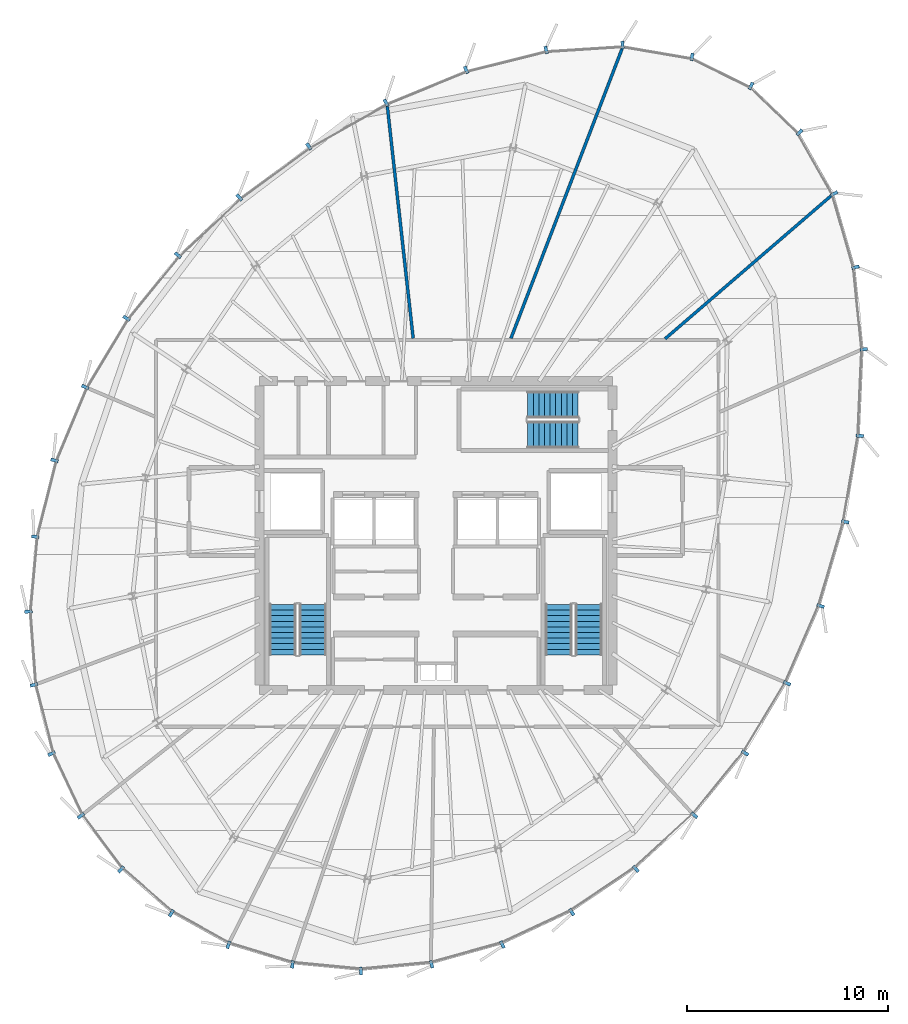
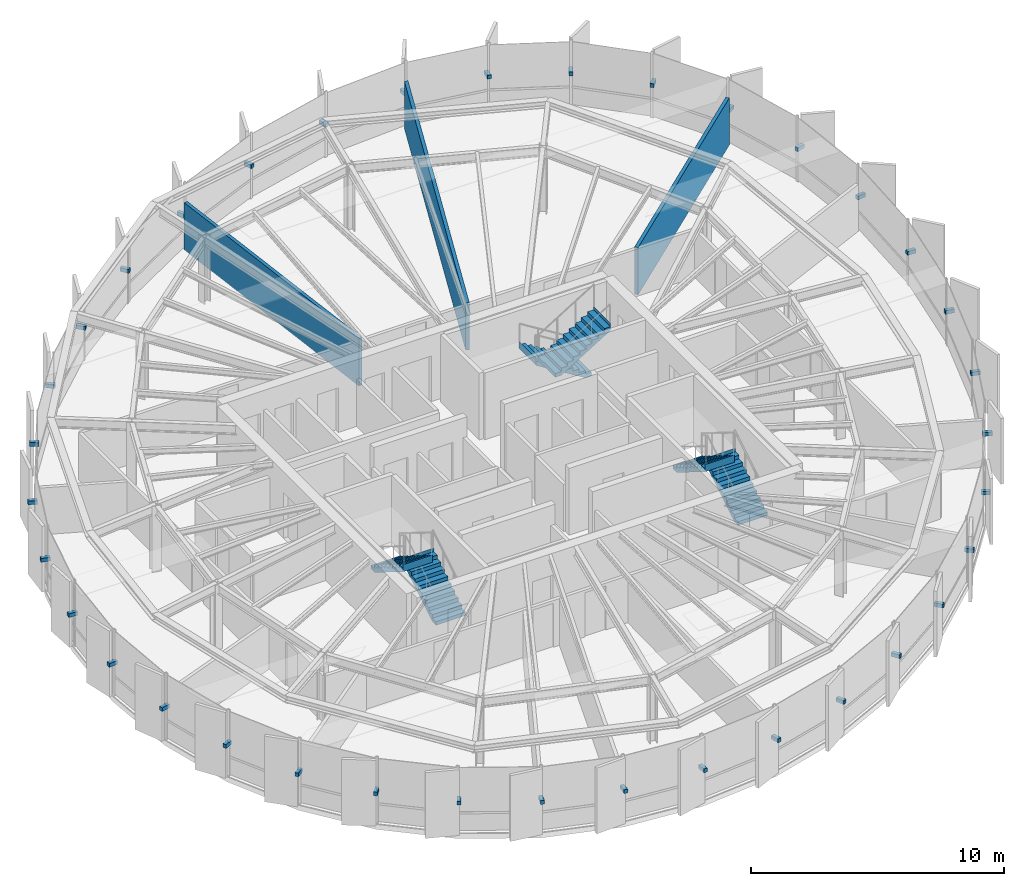
# One storey, part 29 of 33: 36 discrete accessories, 6 stair flights, 3 walls, 3 elements without a shape of their own.
"""IFC4 building model written with IfcOpenShell, lengths in metres."""

from ifc_helpers import new_model, si_unit, direction, frame, frame_2d, origin, origin_2d, place, context, subcontext, project, spatial, polyline, rectangle, outline, extrude, source, transform, mapped, material, layer, layer_set, type_object, element, aggregate, save


model = new_model("IFC4")

# Units and contexts
model_context = context("Model", 3, precision=1e-05, world=origin(), true_north=direction((0.0, 1.0)))
body_context = subcontext(model_context, "Body", "Model", "MODEL_VIEW")
ifc_project = project(units=[si_unit("LENGTHUNIT", "METRE"), si_unit("AREAUNIT", "SQUARE_METRE"), si_unit("VOLUMEUNIT", "CUBIC_METRE"), si_unit("PLANEANGLEUNIT", "RADIAN"), si_unit("MASSUNIT", "GRAM", prefix="KILO"), si_unit("THERMODYNAMICTEMPERATUREUNIT", "KELVIN")], contexts=[model_context])

# Site, building, storey
site_placement = place(None, origin())
site = spatial("IfcSite", under=ifc_project, at=site_placement, CompositionType="ELEMENT")
building_placement = place(site_placement, origin())
building = spatial("IfcBuilding", under=site, at=building_placement, Name="Kethvar Cultural Tower", CompositionType="ELEMENT")
storey_placement = place(building_placement, frame((0.0, 0.0, 256.0)))
storey = spatial("IfcBuildingStorey", under=building, at=storey_placement, Name="L67", CompositionType="ELEMENT", Elevation=256.0)

# Walls
ifc_material_1 = material(Name="Gypsum Acoustic Partition")
ifc_layer = layer(ifc_material_1, 0.14990234375, Name="Gypsum Acoustic Partition")
ifc_layer_set = layer_set([ifc_layer], Name="Gypsum Acoustic Partition (150 mm)")
wall_type = type_object("IfcWallType", Name="WL-PART-150", PredefinedType="PARTITIONING", material=ifc_layer_set)
wall_1_placement = place(storey_placement, frame((58.232177734375, 37.6142578125, 0.0), z_axis=(0.0, 0.0, 1.0), x_axis=(0.757629619608, 0.652684732081, 0.0)))
element("IfcWall", 1, at=wall_1_placement, inside=storey, type_object=wall_type, Name="L67 Radial Partition Wall 09", PredefinedType="PARTITIONING", context=body_context, shape_type="SweptSolid", body=[
    extrude(rectangle(XDim=10.915283203125, YDim=0.14990234375, at=frame_2d((5.45751953125, 0.0))), origin(), (0.0, 0.0, 1.0), 2.280029296875),
])
wall_2_placement = place(storey_placement, frame((50.545654296875, 37.63671875, 0.0), z_axis=(0.0, 0.0, 1.0), x_axis=(0.35830718527, 0.933603749448, 0.0)))
element("IfcWall", 2, at=wall_2_placement, inside=storey, type_object=wall_type, Name="L67 Radial Partition Wall 10", PredefinedType="PARTITIONING", context=body_context, shape_type="SweptSolid", body=[
    extrude(rectangle(XDim=15.4638671875, YDim=0.14990234375, at=frame_2d((7.73193359375, 0.0))), origin(), (0.0, 0.0, 1.0), 2.280029296875),
])
wall_3_placement = place(storey_placement, frame((45.671142578125, 37.6416015625, 0.0), z_axis=(0.0, 0.0, 1.0), x_axis=(-0.110707939732, 0.993852983132, 0.0)))
element("IfcWall", 3, at=wall_3_placement, inside=storey, type_object=wall_type, Name="L67 Radial Partition Wall 11", PredefinedType="PARTITIONING", context=body_context, shape_type="SweptSolid", body=[
    extrude(rectangle(XDim=11.6328125, YDim=0.14990234375, at=frame_2d((5.81640625, 0.0))), origin(), (0.0, 0.0, 1.0), 2.280029296875),
])

# Stair, stair flights
ifc_material_2 = material(Name="Concrete C40/50", Category="concrete")
stair_type = type_object("IfcStairType", Name="ST-DOGLEG-135", PredefinedType="HALF_TURN_STAIR", material=ifc_material_2)
stair_1_placement = place(storey_placement, origin())
stair_1 = element("IfcStair", 4, at=stair_1_placement, inside=storey, type_object=stair_type, Name="L67 Core Exit Stair 1", PredefinedType="HALF_TURN_STAIR")
stair_flight_type = type_object("IfcStairFlightType", Name="FL-STRAIGHT-135", PredefinedType="STRAIGHT", material=ifc_material_2)
stair_flight_1_placement = place(storey_placement, frame((40.675048828125, 21.85009765625, 0.0), z_axis=(0.0, 0.0, 1.0), x_axis=(0.0, 1.0, 0.0)))
stair_flight_1 = element("IfcStairFlight", 5, at=stair_flight_1_placement, type_object=stair_flight_type, Name="ST-01 flight 1", NumberOfRisers=10, NumberOfTreads=9, PredefinedType="STRAIGHT", RiserHeight=0.1725, TreadLength=0.28, context=body_context, shape_type="SweptSolid", body=[
    extrude(outline(polyline([(-0.0009765625, -0.0009765625), (-0.0009765625, 0.172607421875), (0.280029296875, 0.172607421875), (0.280029296875, 0.344970703125), (0.56005859375, 0.344970703125), (0.56005859375, 0.517578125), (0.840087890625, 0.517578125), (0.840087890625, 0.68994140625), (1.1201171875, 0.68994140625), (1.1201171875, 0.862548828125), (1.39990234375, 0.862548828125), (1.39990234375, 1.034912109375), (1.679931640625, 1.034912109375), (1.679931640625, 1.20751953125), (1.9599609375, 1.20751953125), (1.9599609375, 1.3798828125), (2.239990234375, 1.3798828125), (2.239990234375, 1.552490234375), (2.52001953125, 1.552490234375), (2.52001953125, 1.72509765625), (2.52099609375, 1.72509765625), (2.52099609375, 1.37646484375), (0.285888671875, 0.0), (0.0, -0.0009765625), (-0.0009765625, -0.0009765625)])), frame((0.0, 0.675048828125, 0.0), z_axis=(0.0, -1.0, 0.0), x_axis=(1.0, 0.0, 0.0)), (0.0, 0.0, 1.0), 1.35009765625),
])
stair_flight_2_placement = place(storey_placement, frame((39.1650390625, 24.3701171875, 1.72509765625), z_axis=(0.0, 0.0, 1.0), x_axis=(0.0, -1.0, 0.0)))
stair_flight_2 = element("IfcStairFlight", 6, at=stair_flight_2_placement, type_object=stair_flight_type, Name="ST-01 flight 2", NumberOfRisers=10, NumberOfTreads=9, PredefinedType="STRAIGHT", RiserHeight=0.1725, TreadLength=0.28, context=body_context, shape_type="SweptSolid", body=[
    extrude(outline(polyline([(-0.0009765625, -0.0009765625), (-0.0009765625, 0.172607421875), (0.280029296875, 0.172607421875), (0.280029296875, 0.344970703125), (0.56005859375, 0.344970703125), (0.56005859375, 0.517578125), (0.840087890625, 0.517578125), (0.840087890625, 0.68994140625), (1.1201171875, 0.68994140625), (1.1201171875, 0.862548828125), (1.39990234375, 0.862548828125), (1.39990234375, 1.034912109375), (1.679931640625, 1.034912109375), (1.679931640625, 1.20751953125), (1.9599609375, 1.20751953125), (1.9599609375, 1.3798828125), (2.239990234375, 1.3798828125), (2.239990234375, 1.552490234375), (2.52001953125, 1.552490234375), (2.52001953125, 1.72509765625), (2.52099609375, 1.72509765625), (2.52099609375, 1.37646484375), (0.285888671875, 0.0), (0.0, -0.0009765625), (-0.0009765625, -0.0009765625)])), frame((0.0, 0.675048828125, 0.0), z_axis=(0.0, -1.0, 0.0), x_axis=(1.0, 0.0, 0.0)), (0.0, 0.0, 1.0), 1.35009765625),
])
aggregate(stair_1, [stair_flight_1, stair_flight_2])

stair_2_placement = place(storey_placement, origin())
stair_2 = element("IfcStair", 7, at=stair_2_placement, inside=storey, type_object=stair_type, Name="L67 Core Exit Stair 2", PredefinedType="HALF_TURN_STAIR")
stair_flight_3_placement = place(storey_placement, frame((54.43505859375, 21.85009765625, 0.0), z_axis=(0.0, 0.0, 1.0), x_axis=(0.0, 1.0, 0.0)))
stair_flight_3 = element("IfcStairFlight", 8, at=stair_flight_3_placement, type_object=stair_flight_type, Name="ST-02 flight 1", NumberOfRisers=10, NumberOfTreads=9, PredefinedType="STRAIGHT", RiserHeight=0.1725, TreadLength=0.28, context=body_context, shape_type="SweptSolid", body=[
    extrude(outline(polyline([(-0.0009765625, -0.0009765625), (-0.0009765625, 0.172607421875), (0.280029296875, 0.172607421875), (0.280029296875, 0.344970703125), (0.56005859375, 0.344970703125), (0.56005859375, 0.517578125), (0.840087890625, 0.517578125), (0.840087890625, 0.68994140625), (1.1201171875, 0.68994140625), (1.1201171875, 0.862548828125), (1.39990234375, 0.862548828125), (1.39990234375, 1.034912109375), (1.679931640625, 1.034912109375), (1.679931640625, 1.20751953125), (1.9599609375, 1.20751953125), (1.9599609375, 1.3798828125), (2.239990234375, 1.3798828125), (2.239990234375, 1.552490234375), (2.52001953125, 1.552490234375), (2.52001953125, 1.72509765625), (2.52099609375, 1.72509765625), (2.52099609375, 1.37646484375), (0.285888671875, 0.0), (0.0, -0.0009765625), (-0.0009765625, -0.0009765625)])), frame((0.0, 0.675048828125, 0.0), z_axis=(0.0, -1.0, 0.0), x_axis=(1.0, 0.0, 0.0)), (0.0, 0.0, 1.0), 1.35009765625),
])
stair_flight_4_placement = place(storey_placement, frame((52.925048828125, 24.3701171875, 1.72509765625), z_axis=(0.0, 0.0, 1.0), x_axis=(0.0, -1.0, 0.0)))
stair_flight_4 = element("IfcStairFlight", 9, at=stair_flight_4_placement, type_object=stair_flight_type, Name="ST-02 flight 2", NumberOfRisers=10, NumberOfTreads=9, PredefinedType="STRAIGHT", RiserHeight=0.1725, TreadLength=0.28, context=body_context, shape_type="SweptSolid", body=[
    extrude(outline(polyline([(-0.0009765625, -0.0009765625), (-0.0009765625, 0.172607421875), (0.280029296875, 0.172607421875), (0.280029296875, 0.344970703125), (0.56005859375, 0.344970703125), (0.56005859375, 0.517578125), (0.840087890625, 0.517578125), (0.840087890625, 0.68994140625), (1.1201171875, 0.68994140625), (1.1201171875, 0.862548828125), (1.39990234375, 0.862548828125), (1.39990234375, 1.034912109375), (1.679931640625, 1.034912109375), (1.679931640625, 1.20751953125), (1.9599609375, 1.20751953125), (1.9599609375, 1.3798828125), (2.239990234375, 1.3798828125), (2.239990234375, 1.552490234375), (2.52001953125, 1.552490234375), (2.52001953125, 1.72509765625), (2.52099609375, 1.72509765625), (2.52099609375, 1.37646484375), (0.285888671875, 0.0), (0.0, -0.0009765625), (-0.0009765625, -0.0009765625)])), frame((0.0, 0.675048828125, 0.0), z_axis=(0.0, -1.0, 0.0), x_axis=(1.0, 0.0, 0.0)), (0.0, 0.0, 1.0), 1.35009765625),
])
aggregate(stair_2, [stair_flight_3, stair_flight_4])

stair_3_placement = place(storey_placement, origin())
stair_3 = element("IfcStair", 10, at=stair_3_placement, inside=storey, type_object=stair_type, Name="L67 Core Exit Stair 3", PredefinedType="HALF_TURN_STAIR")
stair_flight_5_placement = place(storey_placement, frame((53.89990234375, 34.3349609375, 0.0), z_axis=(0.0, 0.0, 1.0), x_axis=(-1.0, 0.0, 0.0)))
stair_flight_5 = element("IfcStairFlight", 11, at=stair_flight_5_placement, type_object=stair_flight_type, Name="ST-03 flight 1", NumberOfRisers=10, NumberOfTreads=9, PredefinedType="STRAIGHT", RiserHeight=0.1725, TreadLength=0.28, context=body_context, shape_type="SweptSolid", body=[
    extrude(outline(polyline([(-0.0009765625, -0.0009765625), (-0.0009765625, 0.172607421875), (0.280029296875, 0.172607421875), (0.280029296875, 0.344970703125), (0.56005859375, 0.344970703125), (0.56005859375, 0.517578125), (0.840087890625, 0.517578125), (0.840087890625, 0.68994140625), (1.1201171875, 0.68994140625), (1.1201171875, 0.862548828125), (1.39990234375, 0.862548828125), (1.39990234375, 1.034912109375), (1.679931640625, 1.034912109375), (1.679931640625, 1.20751953125), (1.9599609375, 1.20751953125), (1.9599609375, 1.3798828125), (2.239990234375, 1.3798828125), (2.239990234375, 1.552490234375), (2.52001953125, 1.552490234375), (2.52001953125, 1.72509765625), (2.52099609375, 1.72509765625), (2.52099609375, 1.37646484375), (0.285888671875, 0.0), (0.0, -0.0009765625), (-0.0009765625, -0.0009765625)])), frame((0.0, 0.675048828125, 0.0), z_axis=(0.0, -1.0, 0.0), x_axis=(1.0, 0.0, 0.0)), (0.0, 0.0, 1.0), 1.35009765625),
])
stair_flight_6_placement = place(storey_placement, frame((51.3798828125, 32.824951171875, 1.72509765625), z_axis=(0.0, 0.0, 1.0), x_axis=(1.0, 0.0, 0.0)))
stair_flight_6 = element("IfcStairFlight", 12, at=stair_flight_6_placement, type_object=stair_flight_type, Name="ST-03 flight 2", NumberOfRisers=10, NumberOfTreads=9, PredefinedType="STRAIGHT", RiserHeight=0.1725, TreadLength=0.28, context=body_context, shape_type="SweptSolid", body=[
    extrude(outline(polyline([(-0.0009765625, -0.0009765625), (-0.0009765625, 0.172607421875), (0.280029296875, 0.172607421875), (0.280029296875, 0.344970703125), (0.56005859375, 0.344970703125), (0.56005859375, 0.517578125), (0.840087890625, 0.517578125), (0.840087890625, 0.68994140625), (1.1201171875, 0.68994140625), (1.1201171875, 0.862548828125), (1.39990234375, 0.862548828125), (1.39990234375, 1.034912109375), (1.679931640625, 1.034912109375), (1.679931640625, 1.20751953125), (1.9599609375, 1.20751953125), (1.9599609375, 1.3798828125), (2.239990234375, 1.3798828125), (2.239990234375, 1.552490234375), (2.52001953125, 1.552490234375), (2.52001953125, 1.72509765625), (2.52099609375, 1.72509765625), (2.52099609375, 1.37646484375), (0.285888671875, 0.0), (0.0, -0.0009765625), (-0.0009765625, -0.0009765625)])), frame((0.0, 0.675048828125, 0.0), z_axis=(0.0, -1.0, 0.0), x_axis=(1.0, 0.0, 0.0)), (0.0, 0.0, 1.0), 1.35009765625),
])
aggregate(stair_3, [stair_flight_5, stair_flight_6])

# Discrete accessories
ifc_material_3 = material(Name="Steel S355J2", Category="steel")
discrete_accessory_type = type_object("IfcDiscreteAccessoryType", Name="Steel Fin Bracket BRK-01", PredefinedType="BRACKET", material=ifc_material_3)
shared_shape = source(origin(), body_context, "Body", "SweptSolid", [
    extrude(rectangle(XDim=0.3798828125, YDim=0.159912109375, at=origin_2d()), origin(), (0.0, 0.0, 1.0), 0.179931640625),
])
for number, where, z_axis, x_axis, name in (
    (13, (62.5185546875, 50.229248046875, 1.51513671875), (0.0, 0.0, 1.0), (0.440879340739, 0.897566380225, 0.0), "L67 Terracotta Fin Bracket 1.1"),
    (14, (59.5751953125, 51.6748046875, 1.51513671875), (0.0, 0.0, 1.0), (0.168833444713, 0.985644595149, 0.0), "L67 Terracotta Fin Bracket 1.2"),
    (15, (56.11181640625, 52.267578125, 1.51513671875), (0.0, 0.0, 1.0), (-0.063487258268, 0.997982649167, 0.0), "L67 Terracotta Fin Bracket 1.3"),
    (16, (52.301025390625, 52.024658203125, 1.51513671875), (0.0, 0.0, 1.0), (-0.242429908069, 0.970168923267, 0.0), "L67 Terracotta Fin Bracket 1.4"),
    (17, (48.310791015625, 51.027587890625, 1.51513671875), (0.0, 0.0, 1.0), (-0.379940546168, 0.925010908789, 0.0), "L67 Terracotta Fin Bracket 1.5"),
    (18, (44.3193359375, 49.38818359375, 1.51513671875), (0.0, 0.0, 1.0), (-0.491967775447, 0.870613408995, 0.0), "L67 Terracotta Fin Bracket 1.6"),
    (19, (40.47021484375, 47.20849609375, 1.51513671875), (0.0, 0.0, 1.0), (-0.591028110073, 0.806650961137, 0.0), "L67 Terracotta Fin Bracket 2.1"),
    (20, (37.00048828125, 44.666015625, 1.51513671875), (0.0, 0.0, 1.0), (-0.684928699156, 0.728610099486, 0.0), "L67 Terracotta Fin Bracket 2.2"),
    (21, (33.9375, 41.78662109375, 1.51513671875), (0.0, 0.0, 1.0), (-0.775495743172, 0.631352795449, 0.0), "L67 Terracotta Fin Bracket 2.3"),
    (22, (31.375732421875, 38.639404296875, 1.51513671875), (0.0, 0.0, 1.0), (-0.857167300702, 0.51503807491, 0.0), "L67 Terracotta Fin Bracket 2.4"),
    (23, (29.314208984375, 35.208251953125, 1.51513671875), (0.0, 0.0, 1.0), (-0.922470722095, 0.386067049717, 0.0), "L67 Terracotta Fin Bracket 2.5"),
    (24, (27.7841796875, 31.5517578125, 1.51513671875), (0.0, 0.0, 1.0), (-0.969530919263, 0.244968970675, 0.0), "L67 Terracotta Fin Bracket 2.6"),
    (25, (26.828369140625, 27.745849609375, 1.51513671875), (0.0, 0.0, 1.0), (-0.995820882453, 0.091327816524, 0.0), "L67 Terracotta Fin Bracket 3.1"),
    (26, (26.48583984375, 24.011474609375, 1.51513671875), (0.0, 0.0, 1.0), (-0.997263104282, -0.073934436076, 0.0), "L67 Terracotta Fin Bracket 3.2"),
    (27, (26.75732421875, 20.3564453125, 1.51513671875), (0.0, 0.0, 1.0), (-0.968583161129, -0.248689887165, 0.0), "L67 Terracotta Fin Bracket 3.3"),
    (28, (27.6376953125, 16.927490234375, 1.51513671875), (0.0, 0.0, 1.0), (-0.904306189775, -0.426884428311, 0.0), "L67 Terracotta Fin Bracket 3.4"),
    (29, (29.100341796875, 13.828857421875, 1.51513671875), (0.0, 0.0, 1.0), (-0.800731370949, -0.599023598516, 0.0), "L67 Terracotta Fin Bracket 3.5"),
    (30, (31.101318359375, 11.15478515625, 1.51513671875), (0.0, 0.0, 1.0), (-0.658558128912, -0.752529860433, 0.0), "L67 Terracotta Fin Bracket 3.6"),
    (31, (33.6103515625, 8.96923828125, 1.51513671875), (0.0, 0.0, 1.0), (-0.484962262797, -0.874535078577, 0.0), "L67 Terracotta Fin Bracket 4.1"),
    (32, (36.45849609375, 7.389892578125, 1.51513671875), (0.0, 0.0, 1.0), (-0.292371704723, -0.956304755963, 0.0), "L67 Terracotta Fin Bracket 4.2"),
    (33, (39.65234375, 6.413818359375, 1.51513671875), (0.0, 0.0, 1.0), (-0.095324551175, -0.995446246637, 0.0), "L67 Terracotta Fin Bracket 4.3"),
    (34, (43.063232421875, 6.087646484375, 1.51513671875), (0.0, 0.0, 1.0), (0.094108313319, -0.995561964603, 0.0), "L67 Terracotta Fin Bracket 4.4"),
    (35, (46.58740234375, 6.4208984375, 1.51513671875), (0.0, 0.0, 1.0), (0.268247340815, -0.963350073517, 0.0), "L67 Terracotta Fin Bracket 4.5"),
    (36, (50.1181640625, 7.40380859375, 1.51513671875), (0.0, 0.0, 1.0), (0.423250880897, -0.906012522993, 0.0), "L67 Terracotta Fin Bracket 4.6"),
    (37, (53.577392578125, 9.026611328125, 1.51513671875), (0.0, 0.0, 1.0), (0.558903480703, -0.82923271719, 0.0), "L67 Terracotta Fin Bracket 5.1"),
    (38, (56.7724609375, 11.18017578125, 1.51513671875), (0.0, 0.0, 1.0), (0.675718876495, -0.737159412846, 0.0), "L67 Terracotta Fin Bracket 5.2"),
    (39, (59.694091796875, 13.858642578125, 1.51513671875), (0.0, 0.0, 1.0), (0.774944488704, -0.632029302665, 0.0), "L67 Terracotta Fin Bracket 5.3"),
    (40, (62.22412109375, 16.960693359375, 1.51513671875), (0.0, 0.0, 1.0), (0.856717518865, -0.515785898285, 0.0), "L67 Terracotta Fin Bracket 5.4"),
    (41, (64.3173828125, 20.43701171875, 1.51513671875), (0.0, 0.0, 1.0), (0.91754655374, -0.397628371371, 0.0), "L67 Terracotta Fin Bracket 5.5"),
    (42, (65.98876953125, 24.294189453125, 1.51513671875), (0.0, 0.0, 1.0), (0.959166009405, -0.28284371374, 0.0), "L67 Terracotta Fin Bracket 5.6"),
    (43, (67.221435546875, 28.489501953125, 1.51513671875), (0.0, 0.0, 1.0), (0.9857915548, -0.167973243363, 0.0), "L67 Terracotta Fin Bracket 6.1"),
    (44, (67.952392578125, 32.77978515625, 1.51513671875), (0.0, 0.0, 1.0), (0.999025245578, -0.044142481788, 0.0), "L67 Terracotta Fin Bracket 6.2"),
    (45, (68.142578125, 37.091064453125, 1.51513671875), (0.0, 0.0, 1.0), (0.994933485404, 0.100535365033, 0.0), "L67 Terracotta Fin Bracket 6.3"),
    (46, (67.728759765625, 41.18359375, 1.51513671875), (0.0, 0.0, 1.0), (0.960488224179, 0.278320626641, 0.0), "L67 Terracotta Fin Bracket 6.4"),
    (47, (66.666015625, 44.851318359375, 1.51513671875), (0.0, 0.0, 1.0), (0.87026973856, 0.492575458328, 0.0), "L67 Terracotta Fin Bracket 6.5"),
    (48, (64.934326171875, 47.909423828125, 1.51513671875), (0.0, 0.0, 1.0), (0.695160395052, 0.71885466205, 0.0), "L67 Terracotta Fin Bracket 6.6"),
):
    element("IfcDiscreteAccessory", number, at=place(storey_placement, frame(where, z_axis=z_axis, x_axis=x_axis)), inside=storey, type_object=discrete_accessory_type, Name=name, PredefinedType="BRACKET", context=body_context, shape_type="MappedRepresentation", body=[
        mapped(shared_shape, transform((0.0, 0.0, 0.0), scale=1.0)),
    ])

save(model, "model.ifc")
